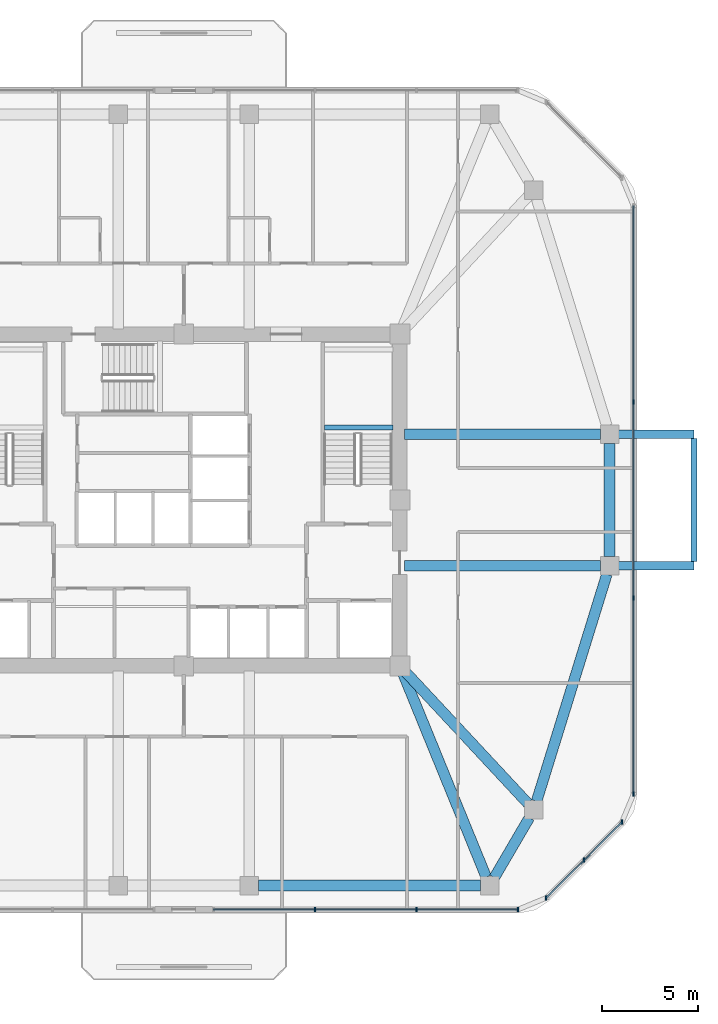
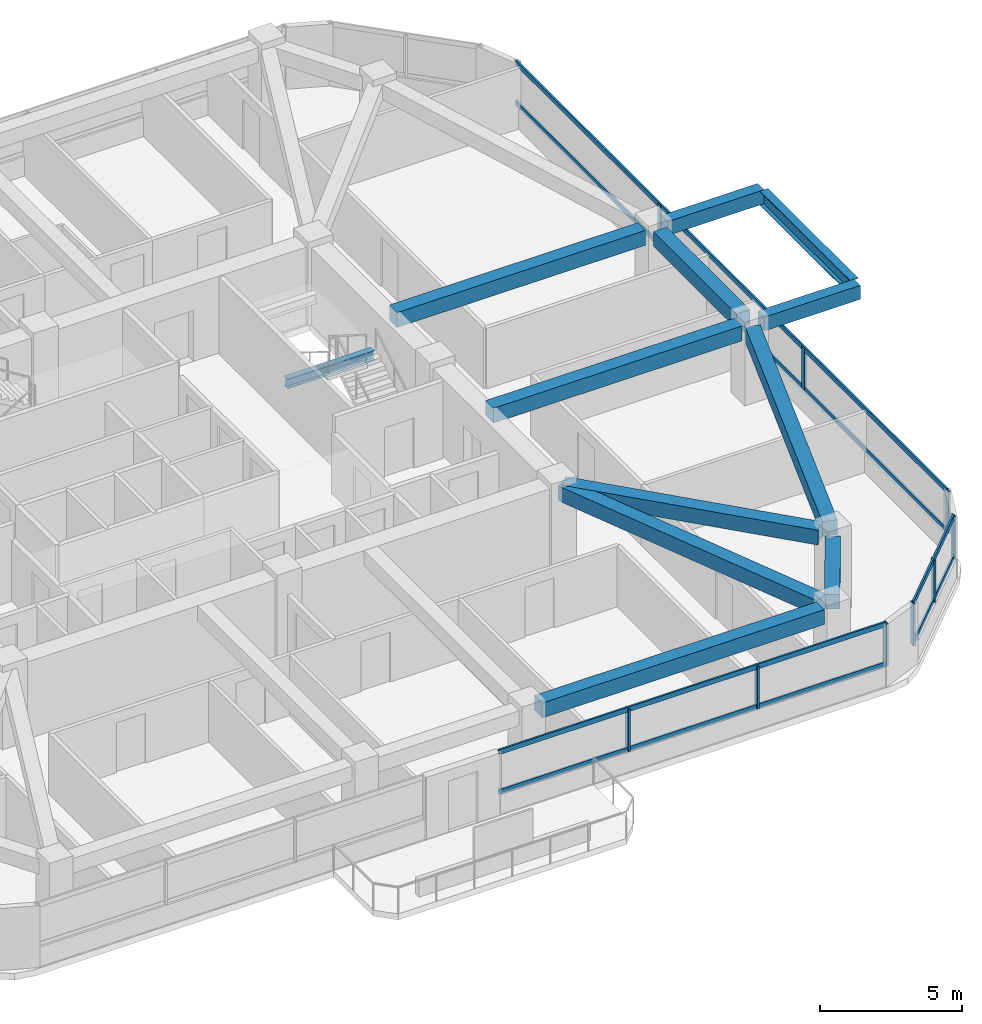
# One storey, part 3 of 12: 15 members, 12 beams, 3 elements without a shape of their own.
"""IFC4 building model written with IfcOpenShell, lengths in metres."""

from ifc_helpers import new_model, si_unit, derived_unit, direction, frame, origin, origin_2d, place, context, subcontext, project, spatial, rectangle, i_section, extrude, material, material_profile, profile_set, type_object, element, aggregate, save


model = new_model("IFC4")

# Units and contexts
model_context = context("Model", 3, precision=1e-05, world=origin(), true_north=direction((0.0, 1.0)))
body_context = subcontext(model_context, "Body", "Model", "MODEL_VIEW")
ifc_project = project(units=[si_unit("LENGTHUNIT", "METRE"), si_unit("AREAUNIT", "SQUARE_METRE"), si_unit("VOLUMEUNIT", "CUBIC_METRE"), si_unit("PLANEANGLEUNIT", "RADIAN"), si_unit("MASSUNIT", "GRAM", prefix="KILO"), derived_unit("THERMALTRANSMITTANCEUNIT", [(si_unit("POWERUNIT", "WATT"), 1), (si_unit("LENGTHUNIT", "METRE"), -2), (si_unit("THERMODYNAMICTEMPERATUREUNIT", "KELVIN"), -1)])], contexts=[model_context])

# Site, building, storey
site_placement = place(None, origin())
site = spatial("IfcSite", under=ifc_project, at=site_placement, CompositionType="ELEMENT")
building_placement = place(site_placement, origin())
building = spatial("IfcBuilding", under=site, at=building_placement, Name="Koralith Skygarden Medical Center", CompositionType="ELEMENT")
storey_placement = place(building_placement, frame((0.0, 0.0, 138.419921875)))
storey = spatial("IfcBuildingStorey", under=building, at=storey_placement, Name="L35", CompositionType="ELEMENT", Elevation=138.419921875)

# Curtain wall, members
ifc_material_1 = material(Name="Clear Laminated Glass", Category="glass")
curtain_wall_type = type_object("IfcCurtainWallType", Name="CW-4 Zone 3 Waist High-Wind Curtain Wall", PredefinedType="NOTDEFINED", material=ifc_material_1)
curtain_wall_1_placement = place(storey_placement, origin())
curtain_wall_1 = element("IfcCurtainWall", 1, at=curtain_wall_1_placement, inside=storey, type_object=curtain_wall_type, Name="Curtain Wall CW-L35-S-R", PredefinedType="NOTDEFINED")
ifc_material_2 = material(Name="Aluminium 6063-T6", Category="aluminium")
ifc_material_profile_1 = material_profile(ifc_material_2, rectangle(XDim=0.076904296875, YDim=0.22998046875, at=origin_2d()), Name="MUL77X230")
ifc_profile_set_1 = profile_set([ifc_material_profile_1], Name="Aluminium 6063-T6")
member_type_1 = type_object("IfcMemberType", Name="CW-4 Extruded Mullion 77x230", PredefinedType="MULLION", material=ifc_profile_set_1)
member_1_placement = place(storey_placement, frame((43.802001953125, 4.679931640625, 0.85009765625), z_axis=(0.0, 0.0, 1.0), x_axis=(1.0, 0.0, 0.0)))
member_1 = element("IfcMember", 2, at=member_1_placement, type_object=member_type_1, Name="CW-L35-S-R Mullion 2", PredefinedType="MULLION", context=body_context, shape_type="SweptSolid", body=[
    extrude(rectangle(XDim=0.076904296875, YDim=0.22998046875, at=origin_2d()), origin(), (0.0, 0.0, 1.0), 1.820068359375),
])
member_2_placement = place(storey_placement, frame((49.06591796875, 4.679931640625, 0.85009765625), z_axis=(0.0, 0.0, 1.0), x_axis=(1.0, 0.0, 0.0)))
member_2 = element("IfcMember", 3, at=member_2_placement, type_object=member_type_1, Name="CW-L35-S-R Mullion 3", PredefinedType="MULLION", context=body_context, shape_type="SweptSolid", body=[
    extrude(rectangle(XDim=0.076904296875, YDim=0.22998046875, at=origin_2d()), origin(), (0.0, 0.0, 1.0), 1.820068359375),
])
member_3_placement = place(storey_placement, frame((54.3291015625, 4.679931640625, 0.85009765625), z_axis=(0.0, 0.0, 1.0), x_axis=(1.0, 0.0, 0.0)))
member_3 = element("IfcMember", 4, at=member_3_placement, type_object=member_type_1, Name="CW-L35-S-R Mullion 4", PredefinedType="MULLION", context=body_context, shape_type="SweptSolid", body=[
    extrude(rectangle(XDim=0.076904296875, YDim=0.22998046875, at=origin_2d()), origin(), (0.0, 0.0, 1.0), 1.820068359375),
])

curtain_wall_2_placement = place(storey_placement, origin())
curtain_wall_2 = element("IfcCurtainWall", 5, at=curtain_wall_2_placement, inside=storey, type_object=curtain_wall_type, Name="Curtain Wall CW-L35-SE", PredefinedType="NOTDEFINED")
member_4_placement = place(storey_placement, frame((55.780029296875, 5.281005859375, 0.85009765625), z_axis=(0.0, 0.0, 1.0), x_axis=(1.0, 0.0, 0.0)))
member_4 = element("IfcMember", 6, at=member_4_placement, type_object=member_type_1, Name="CW-L35-SE Mullion 1", PredefinedType="MULLION", context=body_context, shape_type="SweptSolid", body=[
    extrude(rectangle(XDim=0.076904296875, YDim=0.22998046875, at=origin_2d()), origin(), (0.0, 0.0, 1.0), 1.820068359375),
])
member_5_placement = place(storey_placement, frame((57.741943359375, 7.241943359375, 0.85009765625), z_axis=(0.0, 0.0, 1.0), x_axis=(1.0, 0.0, 0.0)))
member_5 = element("IfcMember", 7, at=member_5_placement, type_object=member_type_1, Name="CW-L35-SE Mullion 2", PredefinedType="MULLION", context=body_context, shape_type="SweptSolid", body=[
    extrude(rectangle(XDim=0.076904296875, YDim=0.22998046875, at=origin_2d()), origin(), (0.0, 0.0, 1.0), 1.820068359375),
])
member_6_placement = place(storey_placement, frame((59.702880859375, 9.2041015625, 0.85009765625), z_axis=(0.0, 0.0, 1.0), x_axis=(1.0, 0.0, 0.0)))
member_6 = element("IfcMember", 8, at=member_6_placement, type_object=member_type_1, Name="CW-L35-SE Mullion 3", PredefinedType="MULLION", context=body_context, shape_type="SweptSolid", body=[
    extrude(rectangle(XDim=0.076904296875, YDim=0.22998046875, at=origin_2d()), origin(), (0.0, 0.0, 1.0), 1.820068359375),
])

curtain_wall_3_placement = place(storey_placement, origin())
curtain_wall_3 = element("IfcCurtainWall", 9, at=curtain_wall_3_placement, inside=storey, type_object=curtain_wall_type, Name="Curtain Wall CW-L35-E", PredefinedType="NOTDEFINED")
member_7_placement = place(storey_placement, frame((60.303955078125, 10.655029296875, 0.85009765625), z_axis=(0.0, 0.0, 1.0), x_axis=(1.0, 0.0, 0.0)))
member_7 = element("IfcMember", 10, at=member_7_placement, type_object=member_type_1, Name="CW-L35-E Mullion 1", PredefinedType="MULLION", context=body_context, shape_type="SweptSolid", body=[
    extrude(rectangle(XDim=0.076904296875, YDim=0.22998046875, at=origin_2d()), origin(), (0.0, 0.0, 1.0), 1.820068359375),
])
member_8_placement = place(storey_placement, frame((60.303955078125, 20.818115234375, 0.85009765625), z_axis=(0.0, 0.0, 1.0), x_axis=(1.0, 0.0, 0.0)))
member_8 = element("IfcMember", 11, at=member_8_placement, type_object=member_type_1, Name="CW-L35-E Mullion 2", PredefinedType="MULLION", context=body_context, shape_type="SweptSolid", body=[
    extrude(rectangle(XDim=0.076904296875, YDim=0.22998046875, at=origin_2d()), origin(), (0.0, 0.0, 1.0), 1.820068359375),
])
member_9_placement = place(storey_placement, frame((60.303955078125, 30.98193359375, 0.85009765625), z_axis=(0.0, 0.0, 1.0), x_axis=(1.0, 0.0, 0.0)))
member_9 = element("IfcMember", 12, at=member_9_placement, type_object=member_type_1, Name="CW-L35-E Mullion 3", PredefinedType="MULLION", context=body_context, shape_type="SweptSolid", body=[
    extrude(rectangle(XDim=0.076904296875, YDim=0.22998046875, at=origin_2d()), origin(), (0.0, 0.0, 1.0), 1.820068359375),
])

# Member
ifc_material_profile_2 = material_profile(ifc_material_2, rectangle(XDim=0.072021484375, YDim=0.20703125, at=origin_2d()), Name="TRN72X207")
ifc_profile_set_2 = profile_set([ifc_material_profile_2], Name="Aluminium 6063-T6")
member_type_2 = type_object("IfcMemberType", Name="CW-4 Thermal Transom 72x207", PredefinedType="USERDEFINED", material=ifc_profile_set_2)
member_10_placement = place(storey_placement, frame((38.5390625, 4.679931640625, 0.900146484375), z_axis=(1.0, 0.0, 0.0), x_axis=(0.0, 1.0, 0.0)))
member_10 = element("IfcMember", 13, at=member_10_placement, type_object=member_type_2, Name="CW-L35-S-R Transom 1", ObjectType="TRANSOM", PredefinedType="USERDEFINED", context=body_context, shape_type="SweptSolid", body=[
    extrude(rectangle(XDim=0.072021484375, YDim=0.20703125, at=origin_2d()), origin(), (0.0, 0.0, 1.0), 15.7900390625),
])

member_11_placement = place(storey_placement, frame((38.5390625, 4.679931640625, 2.6201171875), z_axis=(1.0, 0.0, 0.0), x_axis=(0.0, 1.0, 0.0)))
member_11 = element("IfcMember", 14, at=member_11_placement, type_object=member_type_2, Name="CW-L35-S-R Transom 2", ObjectType="TRANSOM", PredefinedType="USERDEFINED", context=body_context, shape_type="SweptSolid", body=[
    extrude(rectangle(XDim=0.072021484375, YDim=0.20703125, at=origin_2d()), origin(), (0.0, 0.0, 1.0), 15.7900390625),
])

aggregate(curtain_wall_1, [member_1, member_2, member_3, member_10, member_11])

member_12_placement = place(storey_placement, frame((55.780029296875, 5.281005859375, 0.900146484375), z_axis=(0.707084777957, 0.707128783731, 0.0), x_axis=(-0.707128783731, 0.707084777957, 0.0)))
member_12 = element("IfcMember", 15, at=member_12_placement, type_object=member_type_2, Name="CW-L35-SE Transom 1", ObjectType="TRANSOM", PredefinedType="USERDEFINED", context=body_context, shape_type="SweptSolid", body=[
    extrude(rectangle(XDim=0.072021484375, YDim=0.20703125, at=origin_2d()), origin(), (0.0, 0.0, 1.0), 5.5478515625),
])

member_13_placement = place(storey_placement, frame((55.780029296875, 5.281005859375, 2.6201171875), z_axis=(0.707084777957, 0.707128783731, 0.0), x_axis=(-0.707128783731, 0.707084777957, 0.0)))
member_13 = element("IfcMember", 16, at=member_13_placement, type_object=member_type_2, Name="CW-L35-SE Transom 2", ObjectType="TRANSOM", PredefinedType="USERDEFINED", context=body_context, shape_type="SweptSolid", body=[
    extrude(rectangle(XDim=0.072021484375, YDim=0.20703125, at=origin_2d()), origin(), (0.0, 0.0, 1.0), 5.5478515625),
])

aggregate(curtain_wall_2, [member_4, member_5, member_6, member_12, member_13])

member_14_placement = place(storey_placement, frame((60.303955078125, 10.655029296875, 0.900146484375), z_axis=(0.0, 1.0, 0.0), x_axis=(-1.0, 0.0, 0.0)))
member_14 = element("IfcMember", 17, at=member_14_placement, type_object=member_type_2, Name="CW-L35-E Transom 1", ObjectType="TRANSOM", PredefinedType="USERDEFINED", context=body_context, shape_type="SweptSolid", body=[
    extrude(rectangle(XDim=0.072021484375, YDim=0.20703125, at=origin_2d()), origin(), (0.0, 0.0, 1.0), 30.489990234375),
])

member_15_placement = place(storey_placement, frame((60.303955078125, 10.655029296875, 2.6201171875), z_axis=(0.0, 1.0, 0.0), x_axis=(-1.0, 0.0, 0.0)))
member_15 = element("IfcMember", 18, at=member_15_placement, type_object=member_type_2, Name="CW-L35-E Transom 2", ObjectType="TRANSOM", PredefinedType="USERDEFINED", context=body_context, shape_type="SweptSolid", body=[
    extrude(rectangle(XDim=0.072021484375, YDim=0.20703125, at=origin_2d()), origin(), (0.0, 0.0, 1.0), 30.489990234375),
])

aggregate(curtain_wall_3, [member_7, member_8, member_9, member_14, member_15])

# Beams
ifc_material_3 = material(Name="Steel ASTM A992 Grade 50", Category="steel")
ifc_material_profile_3 = material_profile(ifc_material_3, i_section(OverallWidth=0.326904296875, OverallDepth=0.6220703125, WebThickness=0.015380859375, FlangeThickness=0.0244140625, at=origin_2d()), Name="W24X131")
ifc_profile_set_3 = profile_set([ifc_material_profile_3], Name="Steel ASTM A992 Grade 50")
beam_type_1 = type_object("IfcBeamType", Name="Cantilever Tie Beam W24X131", PredefinedType="BEAM", material=ifc_profile_set_3)
beam_1_placement = place(storey_placement, frame((63.444091796875, 22.719970703125, 3.029052734375), z_axis=(0.0, 1.0, 0.0), x_axis=(-1.0, 0.0, 0.0)))
element("IfcBeam", 19, at=beam_1_placement, inside=storey, type_object=beam_type_1, Name="L36 E Balcony Tip Tie Beam", PredefinedType="BEAM", context=body_context, shape_type="SweptSolid", body=[
    extrude(i_section(OverallWidth=0.326904296875, OverallDepth=0.6220703125, WebThickness=0.015380859375, FlangeThickness=0.0244140625, at=origin_2d()), origin(), (0.0, 0.0, 1.0), 6.360107421875),
])
ifc_material_profile_4 = material_profile(ifc_material_3, i_section(OverallWidth=0.260009765625, OverallDepth=0.4150390625, WebThickness=0.010009765625, FlangeThickness=0.016845703125, at=origin_2d()), Name="W16X67")
ifc_profile_set_4 = profile_set([ifc_material_profile_4], Name="Steel ASTM A992 Grade 50")
beam_type_2 = type_object("IfcBeamType", Name="Clinical Floor Joist W16X67", PredefinedType="JOIST", material=ifc_profile_set_4)
beam_2_placement = place(storey_placement, frame((44.280029296875, 29.659912109375, 1.39208984375), z_axis=(1.0, 0.0, 0.0), x_axis=(0.0, 1.0, 0.0)))
element("IfcBeam", 20, at=beam_2_placement, inside=storey, type_object=beam_type_2, Name="L35 Stair ST2 Half-Landing Support Beam 1A", PredefinedType="JOIST", context=body_context, shape_type="SweptSolid", body=[
    extrude(i_section(OverallWidth=0.260009765625, OverallDepth=0.4150390625, WebThickness=0.010009765625, FlangeThickness=0.016845703125, at=origin_2d()), origin(), (0.0, 0.0, 1.0), 3.56494140625),
])
ifc_material_4 = material(Name="Concrete C45/55", Category="concrete")
ifc_material_profile_5 = material_profile(ifc_material_4, rectangle(XDim=0.449951171875, YDim=0.60009765625, at=origin_2d()), Name="RCB450X600")
ifc_profile_set_5 = profile_set([ifc_material_profile_5], Name="Concrete C45/55")
beam_type_3 = type_object("IfcBeamType", Name="Planted Balcony Cantilever Beam RCB450X600", PredefinedType="BEAM", material=ifc_profile_set_5)
for number, where, z_axis, x_axis, name in (
    (21, (59.52392578125, 22.5, 3.0400390625), (1.0, 0.0, 0.0), (0.0, 1.0, 0.0), "L36 E Balcony Cantilever Beam A"),
    (22, (59.52392578125, 29.300048828125, 3.0400390625), (1.0, 0.0, 0.0), (0.0, 1.0, 0.0), "L36 E Balcony Cantilever Beam B"),
):
    element("IfcBeam", number, at=place(storey_placement, frame(where, z_axis=z_axis, x_axis=x_axis)), inside=storey, type_object=beam_type_3, Name=name, PredefinedType="BEAM", context=body_context, shape_type="SweptSolid", body=[
        extrude(rectangle(XDim=0.449951171875, YDim=0.60009765625, at=origin_2d()), origin(), (0.0, 0.0, 1.0), 3.920166015625),
    ])
ifc_material_profile_6 = material_profile(ifc_material_4, rectangle(XDim=0.550048828125, YDim=0.639892578125, at=origin_2d()), Name="RCB550X640")
ifc_profile_set_6 = profile_set([ifc_material_profile_6], Name="Concrete C45/55")
beam_type_4 = type_object("IfcBeamType", Name="Radial Collector Beam RCB550X640", PredefinedType="BEAM", material=ifc_profile_set_6)
beam_3_placement = place(storey_placement, frame((48.294921875, 17.069091796875, 3.0), z_axis=(0.378344544364, -0.92566484526, 0.0), x_axis=(0.92566484526, 0.378344544364, 0.0)))
element("IfcBeam", 23, at=beam_3_placement, inside=storey, type_object=beam_type_4, Name="L35 Radial Collector Beam RB-06", PredefinedType="BEAM", context=body_context, shape_type="SweptSolid", body=[
    extrude(rectangle(XDim=0.550048828125, YDim=0.639892578125, at=origin_2d()), origin(), (0.0, 0.0, 1.0), 11.574462890625),
])
beam_4_placement = place(storey_placement, frame((48.3701171875, 17.116943359375, 3.0), z_axis=(0.681369011591, -0.731940072713, 0.0), x_axis=(0.731940072713, 0.681369011591, 0.0)))
element("IfcBeam", 24, at=beam_4_placement, inside=storey, type_object=beam_type_4, Name="L35 Radial Collector Beam RB-07", PredefinedType="BEAM", context=body_context, shape_type="SweptSolid", body=[
    extrude(rectangle(XDim=0.550048828125, YDim=0.639892578125, at=origin_2d()), origin(), (0.0, 0.0, 1.0), 9.471923828125),
])
for number, where, z_axis, x_axis, name in (
    (25, (48.449951171875, 22.5, 3.0), (1.0, 0.0, 0.0), (0.0, 1.0, 0.0), "L35 Radial Collector Beam RB-08"),
    (26, (48.449951171875, 29.300048828125, 3.0), (1.0, 0.0, 0.0), (0.0, 1.0, 0.0), "L35 Radial Collector Beam RB-09"),
):
    element("IfcBeam", number, at=place(storey_placement, frame(where, z_axis=z_axis, x_axis=x_axis)), inside=storey, type_object=beam_type_4, Name=name, PredefinedType="BEAM", context=body_context, shape_type="SweptSolid", body=[
        extrude(rectangle(XDim=0.550048828125, YDim=0.639892578125, at=origin_2d()), origin(), (0.0, 0.0, 1.0), 10.14404296875),
    ])
ifc_material_profile_7 = material_profile(ifc_material_4, rectangle(XDim=0.550048828125, YDim=0.639892578125, at=origin_2d()), Name="RCB550X640")
ifc_profile_set_7 = profile_set([ifc_material_profile_7], Name="Concrete C45/55")
beam_type_5 = type_object("IfcBeamType", Name="Zone 2-3 Spandrel Beam RCB550X640", PredefinedType="SPANDREL", material=ifc_profile_set_7)
beam_5_placement = place(storey_placement, frame((40.8701171875, 5.919921875, 3.0), z_axis=(1.0, 0.0, 0.0), x_axis=(0.0, 1.0, 0.0)))
element("IfcBeam", 27, at=beam_5_placement, inside=storey, type_object=beam_type_5, Name="L35 Perimeter Spandrel Beam SP-05", PredefinedType="SPANDREL", context=body_context, shape_type="SweptSolid", body=[
    extrude(rectangle(XDim=0.550048828125, YDim=0.639892578125, at=origin_2d()), origin(), (0.0, 0.0, 1.0), 11.511962890625),
])
beam_6_placement = place(storey_placement, frame((53.089111328125, 6.325927734375, 3.0), z_axis=(0.504861391295, 0.863200426077, 0.0), x_axis=(-0.863200426077, 0.504861391295, 0.0)))
element("IfcBeam", 28, at=beam_6_placement, inside=storey, type_object=beam_type_5, Name="L35 Perimeter Spandrel Beam SP-06", PredefinedType="SPANDREL", context=body_context, shape_type="SweptSolid", body=[
    extrude(rectangle(XDim=0.550048828125, YDim=0.639892578125, at=origin_2d()), origin(), (0.0, 0.0, 1.0), 3.600830078125),
])
beam_7_placement = place(storey_placement, frame((55.282958984375, 10.2890625, 3.0), z_axis=(0.295793585147, 0.955251880389, 0.0), x_axis=(-0.955251880389, 0.295793585147, 0.0)))
element("IfcBeam", 29, at=beam_7_placement, inside=storey, type_object=beam_type_5, Name="L35 Perimeter Spandrel Beam SP-07", PredefinedType="SPANDREL", context=body_context, shape_type="SweptSolid", body=[
    extrude(rectangle(XDim=0.550048828125, YDim=0.639892578125, at=origin_2d()), origin(), (0.0, 0.0, 1.0), 12.31298828125),
])
beam_8_placement = place(storey_placement, frame((59.06396484375, 22.969970703125, 3.0), z_axis=(0.0, 1.0, 0.0), x_axis=(-1.0, 0.0, 0.0)))
element("IfcBeam", 30, at=beam_8_placement, inside=storey, type_object=beam_type_5, Name="L35 Perimeter Spandrel Beam SP-08", PredefinedType="SPANDREL", context=body_context, shape_type="SweptSolid", body=[
    extrude(rectangle(XDim=0.550048828125, YDim=0.639892578125, at=origin_2d()), origin(), (0.0, 0.0, 1.0), 5.860107421875),
])

save(model, "model.ifc")
